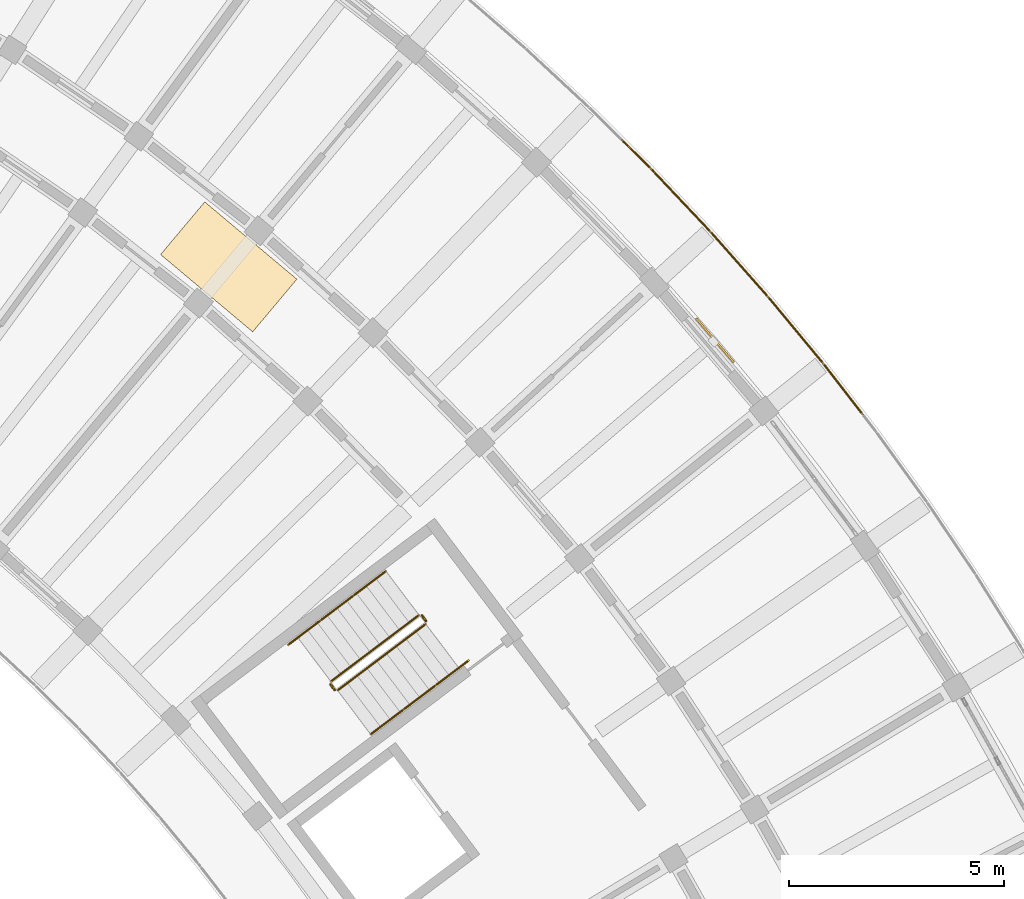
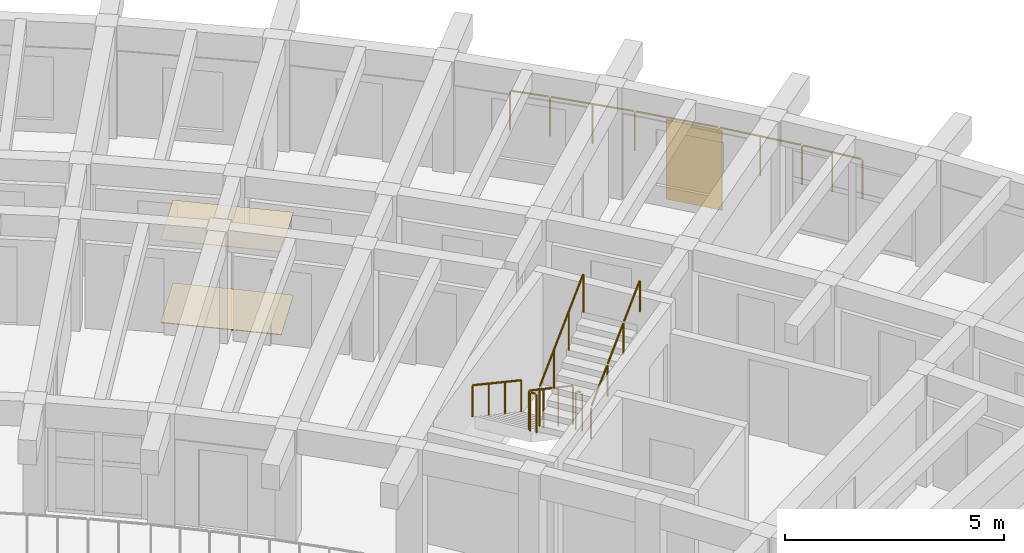
# One storey, part 59 of 62: 11 railings, 2 coverings, 1 shading device.
"""IFC4 building model written with IfcOpenShell, lengths in metres."""

from ifc_helpers import new_model, si_unit, direction, frame, origin, origin_2d, place, context, subcontext, project, spatial, rectangle, circle, extrude, material, layer, layer_set, type_object, element, save


model = new_model("IFC4")

# Units and contexts
model_context = context("Model", 3, precision=1e-05, world=origin(), true_north=direction((0.0, 1.0)))
body_context = subcontext(model_context, "Body", "Model", "MODEL_VIEW")
ifc_project = project(units=[si_unit("LENGTHUNIT", "METRE"), si_unit("AREAUNIT", "SQUARE_METRE"), si_unit("VOLUMEUNIT", "CUBIC_METRE"), si_unit("PLANEANGLEUNIT", "RADIAN"), si_unit("MASSUNIT", "GRAM", prefix="KILO")], contexts=[model_context])

# Site, building, storey
site_placement = place(None, origin())
site = spatial("IfcSite", under=ifc_project, at=site_placement, CompositionType="ELEMENT")
building_placement = place(site_placement, origin())
building = spatial("IfcBuilding", under=site, at=building_placement, Name="Tanwirah Colonnade Gardens", CompositionType="ELEMENT")
storey_placement = place(building_placement, frame((0.0, 0.0, 32.360107421875)))
storey = spatial("IfcBuildingStorey", under=building, at=storey_placement, Name="L09", CompositionType="ELEMENT", Elevation=32.360107421875)

# Railing
ifc_material_1 = material(Name="Precast concrete C40/50", Category="concrete")
railing_type_1 = type_object("IfcRailingType", Name="BAL-EXT112", PredefinedType="BALUSTRADE", material=ifc_material_1)
railing_1_placement = place(storey_placement, frame((164.193115234375, 103.714111328125, 0.0)))
element("IfcRailing", 1, at=railing_1_placement, inside=storey, type_object=railing_type_1, Name="Block B L09 Balcony Ribbon Balustrade 14", PredefinedType="BALUSTRADE", context=body_context, shape_type="SweptSolid", body=[
    extrude(circle(Radius=0.02392578125, at=origin_2d()), frame((0.022216796875, -0.02197265625, 1.09619140625), z_axis=(0.710473282289, -0.703724175479, 0.0), x_axis=(0.703724175479, 0.710473282289, 0.0)), (0.0, 0.0, 1.0), 0.8779296875),
    extrude(circle(Radius=0.02392578125, at=origin_2d()), frame((0.689697265625, -0.6845703125, 1.09619140625), z_axis=(0.686960364449, -0.726694886232, 0.0), x_axis=(0.726694886232, 0.686960364449, 0.0)), (0.0, 0.0, 1.0), 1.958984375),
    extrude(circle(Radius=0.02392578125, at=origin_2d()), frame((2.07763671875, -2.154296875, 1.09619140625), z_axis=(0.662607760508, -0.748966591854, 0.0), x_axis=(0.748966591854, 0.662607760508, 0.0)), (0.0, 0.0, 1.0), 1.958740234375),
    extrude(circle(Radius=0.02392578125, at=origin_2d()), frame((3.416259765625, -3.6689453125, 1.09619140625), z_axis=(0.637555355491, -0.770404548717, 0.0), x_axis=(0.770404548717, 0.637555355491, 0.0)), (0.0, 0.0, 1.0), 1.958984375),
    extrude(circle(Radius=0.02392578125, at=origin_2d()), frame((4.7041015625, -5.226806640625, 1.09619140625), z_axis=(0.611949238301, -0.790897041177, 0.0), x_axis=(0.790897041177, 0.611949238301, 0.0)), (0.0, 0.0, 1.0), 1.432861328125),
    extrude(circle(Radius=0.02099609375, at=origin_2d()), origin(), (0.0, 0.0, 1.0), 1.069091796875),
    extrude(circle(Radius=0.02099609375, at=origin_2d()), frame((0.668212890625, -0.661865234375, 0.0)), (0.0, 0.0, 1.0), 1.069091796875),
    extrude(circle(Radius=0.02099609375, at=origin_2d()), frame((1.362548828125, -1.396484375, 0.0)), (0.0, 0.0, 1.0), 1.069091796875),
    extrude(circle(Radius=0.02099609375, at=origin_2d()), frame((2.056884765625, -2.130859375, 0.0)), (0.0, 0.0, 1.0), 1.069091796875),
    extrude(circle(Radius=0.02099609375, at=origin_2d()), frame((2.7265625, -2.8876953125, 0.0)), (0.0, 0.0, 1.0), 1.069091796875),
    extrude(circle(Radius=0.02099609375, at=origin_2d()), frame((3.396240234375, -3.644775390625, 0.0)), (0.0, 0.0, 1.0), 1.069091796875),
    extrude(circle(Radius=0.02099609375, at=origin_2d()), frame((4.04052734375, -4.42333984375, 0.0)), (0.0, 0.0, 1.0), 1.069091796875),
    extrude(circle(Radius=0.02099609375, at=origin_2d()), frame((4.68505859375, -5.2021484375, 0.0)), (0.0, 0.0, 1.0), 1.069091796875),
    extrude(circle(Radius=0.02099609375, at=origin_2d()), frame((5.142578125, -5.79345703125, 0.0)), (0.0, 0.0, 1.0), 1.069091796875),
    extrude(circle(Radius=0.02099609375, at=origin_2d()), frame((5.60009765625, -6.384765625, 0.0)), (0.0, 0.0, 1.0), 1.069091796875),
])

# Coverings
ifc_material_2 = material(Name="Acoustic perforated gypsum ceiling board")
ifc_layer_1 = layer(ifc_material_2, 0.014892578125)
ifc_layer_set_1 = layer_set([ifc_layer_1], Name="Acoustic perforated gypsum ceiling board")
covering_type_1 = type_object("IfcCoveringType", Name="COV-CEIL15", PredefinedType="CEILING", material=ifc_layer_set_1)
covering_1_placement = place(storey_placement, frame((155.03564453125, 100.761962890625, 2.3125), z_axis=(0.0, 0.0, 1.0), x_axis=(-0.766044443119, 0.642787609687, 0.0)))
element("IfcCovering", 2, at=covering_1_placement, inside=storey, type_object=covering_type_1, Name="Block B L09 Corridor Acoustic Ceiling", PredefinedType="CEILING", context=body_context, shape_type="SweptSolid", body=[
    extrude(rectangle(XDim=2.800048828125, YDim=1.60009765625, at=origin_2d()), origin(), (0.0, 0.0, 1.0), 0.014892578125),
])
ifc_material_3 = material(Name="Honed Abu Dhabi limestone terrazzo flooring", Category="masonry")
ifc_layer_2 = layer(ifc_material_3, 0.02001953125)
ifc_layer_set_2 = layer_set([ifc_layer_2], Name="Honed Abu Dhabi limestone terrazzo flooring")
covering_type_2 = type_object("IfcCoveringType", Name="COV-FLR20", PredefinedType="FLOORING", material=ifc_layer_set_2)
covering_2_placement = place(storey_placement, frame((155.03564453125, 100.761962890625, 0.0), z_axis=(0.0, 0.0, 1.0), x_axis=(-0.766044443119, 0.642787609687, 0.0)))
element("IfcCovering", 3, at=covering_2_placement, inside=storey, type_object=covering_type_2, Name="Block B L09 Corridor Terrazzo Flooring", PredefinedType="FLOORING", context=body_context, shape_type="SweptSolid", body=[
    extrude(rectangle(XDim=2.800048828125, YDim=1.60009765625, at=origin_2d()), origin(), (0.0, 0.0, 1.0), 0.02001953125),
])

# Railings
ifc_material_4 = material(Name="Powder-coated galvanized steel", Category="steel")
railing_type_2 = type_object("IfcRailingType", Name="GRD-ST110", PredefinedType="GUARDRAIL", material=ifc_material_4)
railing_2_placement = place(storey_placement, frame((159.46435546875, 92.6533203125, 0.16796875)))
element("IfcRailing", 4, at=railing_2_placement, inside=storey, type_object=railing_type_2, Name="L09 ST-B1 stair guard 1", PredefinedType="GUARDRAIL", context=body_context, shape_type="SweptSolid", body=[
    extrude(circle(Radius=0.02392578125, at=origin_2d()), frame((-0.021484375, -0.01611328125, 1.092041015625), z_axis=(-0.687998426946, -0.518417885, 0.507839601678), x_axis=(0.601795686627, -0.798650080797, 0.0)), (0.0, 0.0, 1.0), 2.914794921875),
    extrude(circle(Radius=0.02099609375, at=origin_2d()), origin(), (0.0, 0.0, 1.0), 1.049072265625),
    extrude(circle(Radius=0.02099609375, at=origin_2d()), frame((-0.682861328125, -0.514404296875, 0.50390625)), (0.0, 0.0, 1.0), 1.049072265625),
    extrude(circle(Radius=0.02099609375, at=origin_2d()), frame((-1.365478515625, -1.029052734375, 1.008056640625)), (0.0, 0.0, 1.0), 1.049072265625),
    extrude(circle(Radius=0.02099609375, at=origin_2d()), frame((-2.04833984375, -1.54345703125, 1.511962890625)), (0.0, 0.0, 1.0), 1.049072265625),
])
railing_3_placement = place(storey_placement, frame((157.406005859375, 91.039794921875, 1.679931640625)))
element("IfcRailing", 5, at=railing_3_placement, inside=storey, type_object=railing_type_2, Name="L09 ST-B1 stair guard 2", PredefinedType="GUARDRAIL", context=body_context, shape_type="SweptSolid", body=[
    extrude(circle(Radius=0.02392578125, at=origin_2d()), frame((0.018798828125, -0.02490234375, 1.076171875), z_axis=(0.601948835455, -0.798534657667, 0.0), x_axis=(0.798534657667, 0.601948835455, 0.0)), (0.0, 0.0, 1.0), 0.09765625),
    extrude(circle(Radius=0.02099609375, at=origin_2d()), origin(), (0.0, 0.0, 1.0), 1.049072265625),
    extrude(circle(Radius=0.02099609375, at=origin_2d()), frame((0.096435546875, -0.1279296875, 0.0)), (0.0, 0.0, 1.0), 1.049072265625),
])
railing_4_placement = place(storey_placement, frame((157.572265625, 90.902099609375, 1.847900390625)))
element("IfcRailing", 6, at=railing_4_placement, inside=storey, type_object=railing_type_2, Name="L09 ST-B1 stair guard 3", PredefinedType="GUARDRAIL", context=body_context, shape_type="SweptSolid", body=[
    extrude(circle(Radius=0.02392578125, at=origin_2d()), frame((0.021484375, 0.01611328125, 1.092041015625), z_axis=(0.688012363654, 0.518448596756, 0.507789365762), x_axis=(-0.601810650199, 0.798638805285, 0.0)), (0.0, 0.0, 1.0), 2.9150390625),
    extrude(circle(Radius=0.02099609375, at=origin_2d()), origin(), (0.0, 0.0, 1.0), 1.049072265625),
    extrude(circle(Radius=0.02099609375, at=origin_2d()), frame((0.682861328125, 0.5146484375, 0.50390625)), (0.0, 0.0, 1.0), 1.049072265625),
    extrude(circle(Radius=0.02099609375, at=origin_2d()), frame((1.36572265625, 1.029052734375, 1.008056640625)), (0.0, 0.0, 1.0), 1.049072265625),
    extrude(circle(Radius=0.02099609375, at=origin_2d()), frame((2.048583984375, 1.543701171875, 1.511962890625)), (0.0, 0.0, 1.0), 1.049072265625),
])
railing_5_placement = place(storey_placement, frame((159.534423828125, 92.6435546875, 0.0)))
element("IfcRailing", 7, at=railing_5_placement, inside=storey, type_object=railing_type_2, Name="L09 ST-B1 stair guard 4", PredefinedType="GUARDRAIL", context=body_context, shape_type="SweptSolid", body=[
    extrude(circle(Radius=0.02392578125, at=origin_2d()), frame((0.018798828125, -0.02490234375, 1.076171875), z_axis=(0.601709070646, -0.798715339969, 0.0), x_axis=(0.798715339969, 0.601709070646, 0.0)), (0.0, 0.0, 1.0), 0.097412109375),
    extrude(circle(Radius=0.02099609375, at=origin_2d()), origin(), (0.0, 0.0, 1.0), 1.049072265625),
    extrude(circle(Radius=0.02099609375, at=origin_2d()), frame((0.09619140625, -0.127685546875, 0.0)), (0.0, 0.0, 1.0), 1.049072265625),
])
ifc_material_5 = material(Name="Brushed bronze stainless steel", Category="steel")
railing_type_3 = type_object("IfcRailingType", Name="HR-ST090", PredefinedType="HANDRAIL", material=ifc_material_5)
railing_6_placement = place(storey_placement, frame((158.694091796875, 93.67578125, 0.16796875)))
element("IfcRailing", 8, at=railing_6_placement, inside=storey, type_object=railing_type_3, Name="L09 ST-B1 stair handrail 1", PredefinedType="HANDRAIL", context=body_context, shape_type="SweptSolid", body=[
    extrude(circle(Radius=0.02392578125, at=origin_2d()), frame((-0.021484375, -0.01611328125, 0.891845703125), z_axis=(-0.686145346169, -0.517037451972, 0.51173903231), x_axis=(0.601807485929, -0.798641189696, 0.0)), (0.0, 0.0, 1.0), 1.04345703125),
    extrude(circle(Radius=0.02099609375, at=origin_2d()), origin(), (0.0, 0.0, 1.0), 0.848876953125),
    extrude(circle(Radius=0.02099609375, at=origin_2d()), frame((-0.7587890625, -0.57177734375, 0.56591796875)), (0.0, 0.0, 1.0), 0.848876953125),
])
railing_7_placement = place(storey_placement, frame((157.935302734375, 93.10400390625, 0.73388671875)))
element("IfcRailing", 9, at=railing_7_placement, inside=storey, type_object=railing_type_3, Name="L09 ST-B1 stair handrail 2", PredefinedType="HANDRAIL", context=body_context, shape_type="SweptSolid", body=[
    extrude(circle(Radius=0.02392578125, at=origin_2d()), frame((-0.021484375, -0.01611328125, 0.891845703125), z_axis=(-0.686028488458, -0.517115777267, 0.511816554955), x_axis=(0.601931007785, -0.798548096152, 0.0)), (0.0, 0.0, 1.0), 1.043212890625),
    extrude(circle(Radius=0.02099609375, at=origin_2d()), origin(), (0.0, 0.0, 1.0), 0.848876953125),
    extrude(circle(Radius=0.02099609375, at=origin_2d()), frame((-0.758544921875, -0.57177734375, 0.56591796875)), (0.0, 0.0, 1.0), 0.848876953125),
])
railing_8_placement = place(storey_placement, frame((157.1767578125, 92.5322265625, 1.2998046875)))
element("IfcRailing", 10, at=railing_8_placement, inside=storey, type_object=railing_type_3, Name="L09 ST-B1 stair handrail 3", PredefinedType="HANDRAIL", context=body_context, shape_type="SweptSolid", body=[
    extrude(circle(Radius=0.02392578125, at=origin_2d()), frame((-0.021484375, -0.01611328125, 0.891845703125), z_axis=(-0.686067825084, -0.516979036791, 0.511901958292), x_axis=(0.601807485929, -0.798641189696, 0.0)), (0.0, 0.0, 1.0), 1.04345703125),
    extrude(circle(Radius=0.02099609375, at=origin_2d()), origin(), (0.0, 0.0, 1.0), 0.848876953125),
    extrude(circle(Radius=0.02099609375, at=origin_2d()), frame((-0.7587890625, -0.57177734375, 0.566162109375)), (0.0, 0.0, 1.0), 0.848876953125),
])
railing_9_placement = place(storey_placement, frame((158.3427734375, 89.8798828125, 1.847900390625)))
element("IfcRailing", 11, at=railing_9_placement, inside=storey, type_object=railing_type_3, Name="L09 ST-B1 stair handrail 4", PredefinedType="HANDRAIL", context=body_context, shape_type="SweptSolid", body=[
    extrude(circle(Radius=0.02392578125, at=origin_2d()), frame((0.021484375, 0.01611328125, 0.891845703125), z_axis=(0.686028488458, 0.517115777267, 0.511816554955), x_axis=(-0.601931007785, 0.798548096152, 0.0)), (0.0, 0.0, 1.0), 1.043212890625),
    extrude(circle(Radius=0.02099609375, at=origin_2d()), origin(), (0.0, 0.0, 1.0), 0.848876953125),
    extrude(circle(Radius=0.02099609375, at=origin_2d()), frame((0.758544921875, 0.57177734375, 0.56591796875)), (0.0, 0.0, 1.0), 0.848876953125),
])
railing_10_placement = place(storey_placement, frame((159.101318359375, 90.45166015625, 2.413818359375)))
element("IfcRailing", 12, at=railing_10_placement, inside=storey, type_object=railing_type_3, Name="L09 ST-B1 stair handrail 5", PredefinedType="HANDRAIL", context=body_context, shape_type="SweptSolid", body=[
    extrude(circle(Radius=0.02392578125, at=origin_2d()), frame((0.021484375, 0.01611328125, 0.891845703125), z_axis=(0.686067825084, 0.516979036791, 0.511901958292), x_axis=(-0.601807485929, 0.798641189696, 0.0)), (0.0, 0.0, 1.0), 1.04345703125),
    extrude(circle(Radius=0.02099609375, at=origin_2d()), origin(), (0.0, 0.0, 1.0), 0.848876953125),
    extrude(circle(Radius=0.02099609375, at=origin_2d()), frame((0.7587890625, 0.57177734375, 0.566162109375)), (0.0, 0.0, 1.0), 0.848876953125),
])
railing_11_placement = place(storey_placement, frame((159.860107421875, 91.0234375, 2.97998046875)))
element("IfcRailing", 13, at=railing_11_placement, inside=storey, type_object=railing_type_3, Name="L09 ST-B1 stair handrail 6", PredefinedType="HANDRAIL", context=body_context, shape_type="SweptSolid", body=[
    extrude(circle(Radius=0.02392578125, at=origin_2d()), frame((0.021484375, 0.01611328125, 0.891845703125), z_axis=(0.686223662955, 0.51687567406, 0.51179744232), x_axis=(-0.601643549736, 0.798764695677, 0.0)), (0.0, 0.0, 1.0), 1.043212890625),
    extrude(circle(Radius=0.02099609375, at=origin_2d()), origin(), (0.0, 0.0, 1.0), 0.848876953125),
    extrude(circle(Radius=0.02099609375, at=origin_2d()), frame((0.7587890625, 0.571533203125, 0.56591796875)), (0.0, 0.0, 1.0), 0.848876953125),
])

# Shading device
ifc_material_6 = material(Name="Perforated architectural bronze aluminium", Category="aluminium")
ifc_layer_3 = layer(ifc_material_6, 0.044921875)
ifc_layer_set_3 = layer_set([ifc_layer_3], Name="Perforated architectural bronze aluminium")
shading_device_type = type_object("IfcShadingDeviceType", Name="SHD-MSH1", PredefinedType="JALOUSIE", material=ifc_layer_set_3)
shading_device_placement = place(storey_placement, frame((166.35791015625, 99.0517578125, 0.0), z_axis=(0.0, 0.0, 1.0), x_axis=(-0.650186200632, 0.759774903842, 0.0)))
element("IfcShadingDevice", 14, at=shading_device_placement, inside=storey, type_object=shading_device_type, Name="Bronze mashrabiya solar screen B-L09-06", PredefinedType="JALOUSIE", context=body_context, shape_type="SweptSolid", body=[
    extrude(rectangle(XDim=1.35009765625, YDim=0.044921875, at=origin_2d()), origin(), (0.0, 0.0, 1.0), 2.2099609375),
])

save(model, "model.ifc")
